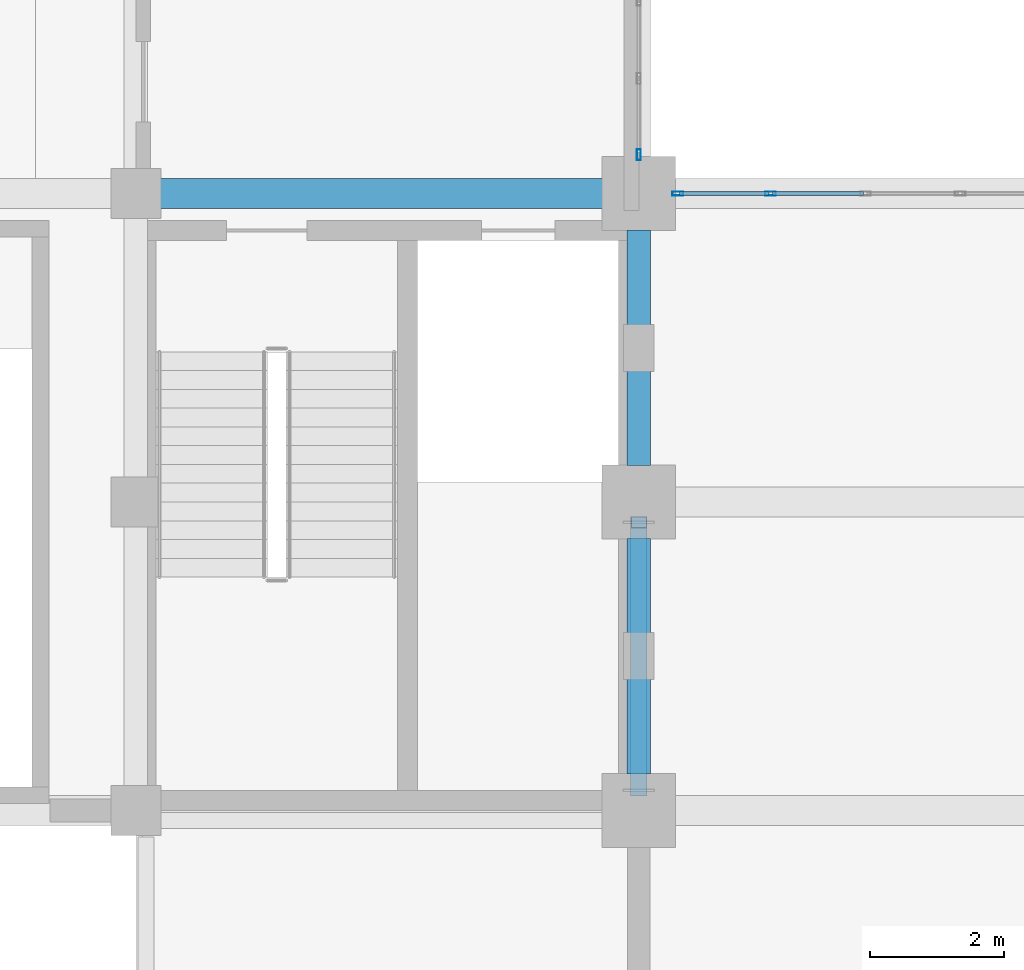
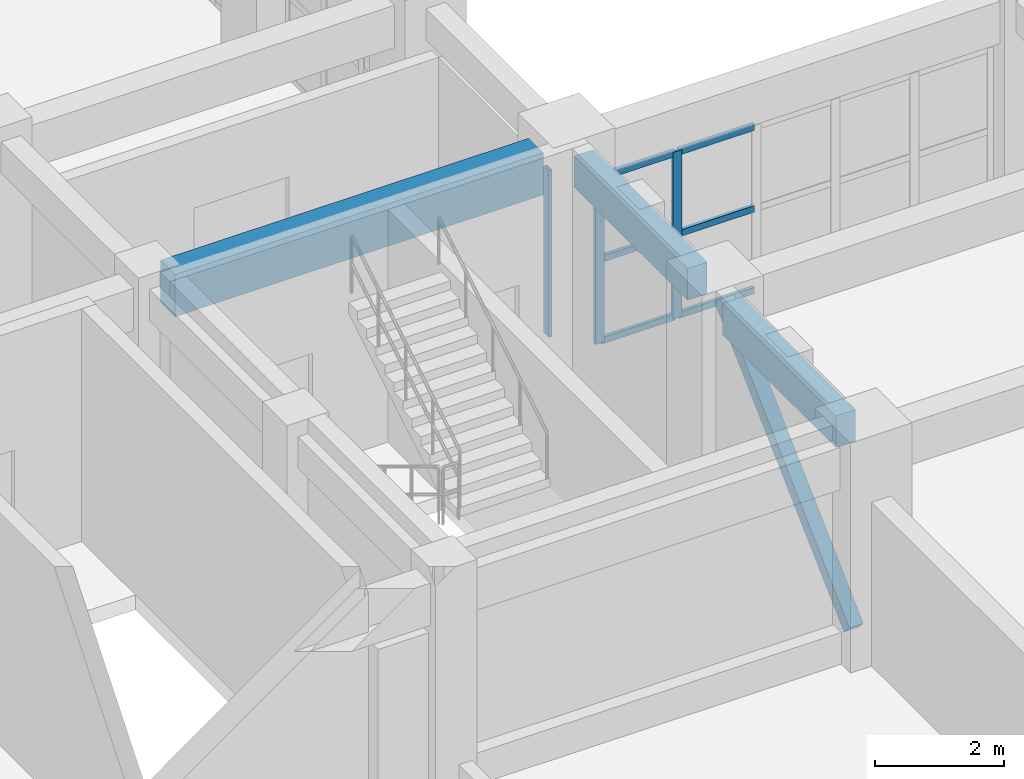
# One storey, part 34 of 90: 10 members, 3 beams, 2 elements without a shape of their own.
"""IFC4 building model written with IfcOpenShell, lengths in metres."""

from ifc_helpers import new_model, si_unit, direction, frame, origin, origin_2d, place, context, subcontext, project, spatial, rectangle, hollow_rectangle, extrude, material, layer, layer_set, material_profile, profile_set, type_object, element, aggregate, save


model = new_model("IFC4")

# Units and contexts
model_context = context("Model", 3, precision=1e-05, world=origin(), true_north=direction((0.0, 1.0)))
body_context = subcontext(model_context, "Body", "Model", "MODEL_VIEW")
ifc_project = project(units=[si_unit("LENGTHUNIT", "METRE"), si_unit("AREAUNIT", "SQUARE_METRE"), si_unit("VOLUMEUNIT", "CUBIC_METRE"), si_unit("PLANEANGLEUNIT", "RADIAN"), si_unit("MASSUNIT", "GRAM", prefix="KILO")], contexts=[model_context])

# Site, building, storey
site_placement = place(None, origin())
site = spatial("IfcSite", under=ifc_project, at=site_placement, CompositionType="ELEMENT")
building_placement = place(site_placement, origin())
building = spatial("IfcBuilding", under=site, at=building_placement, Name="Muzn Square Opera House", CompositionType="ELEMENT")
storey_placement = place(building_placement, frame((0.0, 0.0, 9.800048828125)))
storey = spatial("IfcBuildingStorey", under=building, at=storey_placement, Name="L02", CompositionType="ELEMENT", Elevation=9.800048828125)

# Curtain wall, member
ifc_material_1 = material(Name="Low-E laminated acoustic double glazing", Category="glass")
ifc_layer_1 = layer(ifc_material_1, 0.159912109375, Name="Low-E laminated acoustic double glazing", Category="glass")
ifc_layer_set_1 = layer_set([ifc_layer_1], Name="Low-E laminated acoustic double glazing")
curtain_wall_type_1 = type_object("IfcCurtainWallType", Name="Glazed Curtain Wall EastVaultCourt 3500x3150", PredefinedType="USERDEFINED", material=ifc_layer_set_1)
curtain_wall_1_placement = place(storey_placement, origin())
curtain_wall_1 = element("IfcCurtainWall", 1, at=curtain_wall_1_placement, inside=storey, type_object=curtain_wall_type_1, Name="Glazed Curtain Wall CW-L02-050", ObjectType="GLAZED CURTAIN WALL", PredefinedType="USERDEFINED")
ifc_material_2 = material(Name="Anodised bronze aluminium 6063-T6", Category="metal")
ifc_material_profile_1 = material_profile(ifc_material_2, hollow_rectangle(XDim=0.06005859375, YDim=0.159912109375, WallThickness=0.00390625, at=origin_2d()), Name="ALU 160x60x4", Category="metal")
ifc_profile_set_1 = profile_set([ifc_material_profile_1], Name="Anodised bronze aluminium 6063-T6")
member_type_1 = type_object("IfcMemberType", Name="Curtain Wall Mullion 160x60", PredefinedType="MULLION", material=ifc_profile_set_1)
member_1_placement = place(storey_placement, frame((133.0, 31.780029296875, 0.0), z_axis=(0.0, 0.0, 1.0), x_axis=(-1.0, 0.0, 0.0)))
member_1 = element("IfcMember", 2, at=member_1_placement, type_object=member_type_1, Name="CW-EVC-35x31 mullion 1", PredefinedType="MULLION", context=body_context, shape_type="SweptSolid", body=[
    extrude(hollow_rectangle(XDim=0.06005859375, YDim=0.159912109375, WallThickness=0.00390625, at=origin_2d()), origin(), (0.0, 0.0, 1.0), 3.14990234375),
])
aggregate(curtain_wall_1, [member_1])

# Curtain wall, members
ifc_layer_2 = layer(ifc_material_1, 0.159912109375, Name="Low-E laminated acoustic double glazing", Category="glass")
ifc_layer_set_2 = layer_set([ifc_layer_2], Name="Low-E laminated acoustic double glazing")
curtain_wall_type_2 = type_object("IfcCurtainWallType", Name="Glazed Curtain Wall EastCloisterS 7075x3150", PredefinedType="USERDEFINED", material=ifc_layer_set_2)
curtain_wall_2_placement = place(storey_placement, origin())
curtain_wall_2 = element("IfcCurtainWall", 3, at=curtain_wall_2_placement, inside=storey, type_object=curtain_wall_type_2, Name="Glazed Curtain Wall CW-L02-099", ObjectType="GLAZED CURTAIN WALL", PredefinedType="USERDEFINED")
member_2_placement = place(storey_placement, frame((133.580078125, 31.199951171875, 0.0), z_axis=(0.0, 0.0, 1.0), x_axis=(0.0, 1.0, 0.0)))
member_2 = element("IfcMember", 4, at=member_2_placement, type_object=member_type_1, Name="CW-ECS-70x31 mullion 1", PredefinedType="MULLION", context=body_context, shape_type="SweptSolid", body=[
    extrude(hollow_rectangle(XDim=0.06005859375, YDim=0.159912109375, WallThickness=0.00390625, at=origin_2d()), origin(), (0.0, 0.0, 1.0), 3.14990234375),
])
member_3_placement = place(storey_placement, frame((134.965087890625, 31.199951171875, 0.0), z_axis=(0.0, 0.0, 1.0), x_axis=(0.0, 1.0, 0.0)))
member_3 = element("IfcMember", 5, at=member_3_placement, type_object=member_type_1, Name="CW-ECS-70x31 mullion 2", PredefinedType="MULLION", context=body_context, shape_type="SweptSolid", body=[
    extrude(hollow_rectangle(XDim=0.06005859375, YDim=0.159912109375, WallThickness=0.00390625, at=origin_2d()), origin(), (0.0, 0.0, 1.0), 3.14990234375),
])
ifc_material_profile_2 = material_profile(ifc_material_2, hollow_rectangle(XDim=0.06005859375, YDim=0.1201171875, WallThickness=0.00390625, at=origin_2d()), Name="ALU 120x60x4", Category="metal")
ifc_profile_set_2 = profile_set([ifc_material_profile_2], Name="Anodised bronze aluminium 6063-T6")
member_type_2 = type_object("IfcMemberType", Name="Curtain Wall Transom 120x60", PredefinedType="USERDEFINED", material=ifc_profile_set_2)
member_4_placement = place(storey_placement, frame((133.610107421875, 31.199951171875, 0.030029296875), z_axis=(1.0, 0.0, 0.0), x_axis=(0.0, 1.0, 0.0)))
member_4 = element("IfcMember", 6, at=member_4_placement, type_object=member_type_2, Name="CW-ECS-70x31 transom 1.1", ObjectType="TRANSOM", PredefinedType="USERDEFINED", context=body_context, shape_type="SweptSolid", body=[
    extrude(hollow_rectangle(XDim=0.06005859375, YDim=0.1201171875, WallThickness=0.00390625, at=origin_2d()), origin(), (0.0, 0.0, 1.0), 1.324951171875),
])
member_5_placement = place(storey_placement, frame((133.610107421875, 31.199951171875, 1.574951171875), z_axis=(1.0, 0.0, 0.0), x_axis=(0.0, 1.0, 0.0)))
member_5 = element("IfcMember", 7, at=member_5_placement, type_object=member_type_2, Name="CW-ECS-70x31 transom 1.2", ObjectType="TRANSOM", PredefinedType="USERDEFINED", context=body_context, shape_type="SweptSolid", body=[
    extrude(hollow_rectangle(XDim=0.06005859375, YDim=0.1201171875, WallThickness=0.00390625, at=origin_2d()), origin(), (0.0, 0.0, 1.0), 1.324951171875),
])
member_6_placement = place(storey_placement, frame((133.610107421875, 31.199951171875, 3.119873046875), z_axis=(1.0, 0.0, 0.0), x_axis=(0.0, 1.0, 0.0)))
member_6 = element("IfcMember", 8, at=member_6_placement, type_object=member_type_2, Name="CW-ECS-70x31 transom 1.3", ObjectType="TRANSOM", PredefinedType="USERDEFINED", context=body_context, shape_type="SweptSolid", body=[
    extrude(hollow_rectangle(XDim=0.06005859375, YDim=0.1201171875, WallThickness=0.00390625, at=origin_2d()), origin(), (0.0, 0.0, 1.0), 1.324951171875),
])
member_7_placement = place(storey_placement, frame((134.9951171875, 31.199951171875, 0.030029296875), z_axis=(1.0, 0.0, 0.0), x_axis=(0.0, 1.0, 0.0)))
member_7 = element("IfcMember", 9, at=member_7_placement, type_object=member_type_2, Name="CW-ECS-70x31 transom 2.1", ObjectType="TRANSOM", PredefinedType="USERDEFINED", context=body_context, shape_type="SweptSolid", body=[
    extrude(hollow_rectangle(XDim=0.06005859375, YDim=0.1201171875, WallThickness=0.00390625, at=origin_2d()), origin(), (0.0, 0.0, 1.0), 1.35498046875),
])
member_8_placement = place(storey_placement, frame((134.9951171875, 31.199951171875, 1.574951171875), z_axis=(1.0, 0.0, 0.0), x_axis=(0.0, 1.0, 0.0)))
member_8 = element("IfcMember", 10, at=member_8_placement, type_object=member_type_2, Name="CW-ECS-70x31 transom 2.2", ObjectType="TRANSOM", PredefinedType="USERDEFINED", context=body_context, shape_type="SweptSolid", body=[
    extrude(hollow_rectangle(XDim=0.06005859375, YDim=0.1201171875, WallThickness=0.00390625, at=origin_2d()), origin(), (0.0, 0.0, 1.0), 1.35498046875),
])
member_9_placement = place(storey_placement, frame((134.9951171875, 31.199951171875, 3.119873046875), z_axis=(1.0, 0.0, 0.0), x_axis=(0.0, 1.0, 0.0)))
member_9 = element("IfcMember", 11, at=member_9_placement, type_object=member_type_2, Name="CW-ECS-70x31 transom 2.3", ObjectType="TRANSOM", PredefinedType="USERDEFINED", context=body_context, shape_type="SweptSolid", body=[
    extrude(hollow_rectangle(XDim=0.06005859375, YDim=0.1201171875, WallThickness=0.00390625, at=origin_2d()), origin(), (0.0, 0.0, 1.0), 1.35498046875),
])
aggregate(curtain_wall_2, [member_2, member_3, member_4, member_5, member_6, member_7, member_8, member_9])

# Beams
ifc_material_3 = material(Name="Concrete C40/50", Category="concrete")
ifc_material_profile_3 = material_profile(ifc_material_3, rectangle(XDim=0.35009765625, YDim=0.60009765625, at=origin_2d()), Name="RCB 350x600", Category="concrete")
ifc_profile_set_3 = profile_set([ifc_material_profile_3], Name="Concrete C40/50")
beam_type_1 = type_object("IfcBeamType", Name="Primary Girder 350x600", PredefinedType="BEAM", material=ifc_profile_set_3)
beam_1_placement = place(storey_placement, frame((133.0, 22.5419921875, 3.820068359375), z_axis=(0.0, 1.0, 0.0), x_axis=(-1.0, 0.0, 0.0)))
element("IfcBeam", 12, at=beam_1_placement, inside=storey, type_object=beam_type_1, Name="Primary Girder BM-L02-BM-PG600-1330_225_1330_261-2246", PredefinedType="BEAM", context=body_context, shape_type="SweptSolid", body=[
    extrude(rectangle(XDim=0.35009765625, YDim=0.60009765625, at=origin_2d()), origin(), (0.0, 0.0, 1.0), 3.51611328125),
])
beam_2_placement = place(storey_placement, frame((133.0, 27.14208984375, 3.820068359375), z_axis=(0.0, 1.0, 0.0), x_axis=(-1.0, 0.0, 0.0)))
element("IfcBeam", 13, at=beam_2_placement, inside=storey, type_object=beam_type_1, Name="Primary Girder BM-L02-BM-PG600-1330_271_1330_307-2247", PredefinedType="BEAM", context=body_context, shape_type="SweptSolid", body=[
    extrude(rectangle(XDim=0.35009765625, YDim=0.60009765625, at=origin_2d()), origin(), (0.0, 0.0, 1.0), 3.515869140625),
])
ifc_material_profile_4 = material_profile(ifc_material_3, rectangle(XDim=0.449951171875, YDim=0.800048828125, at=origin_2d()), Name="RCB 450x800", Category="concrete")
ifc_profile_set_4 = profile_set([ifc_material_profile_4], Name="Concrete C40/50")
beam_type_2 = type_object("IfcBeamType", Name="Primary Girder 450x800", PredefinedType="BEAM", material=ifc_profile_set_4)
beam_3_placement = place(storey_placement, frame((125.866943359375, 31.199951171875, 3.719970703125), z_axis=(1.0, 0.0, 0.0), x_axis=(0.0, 1.0, 0.0)))
element("IfcBeam", 14, at=beam_3_placement, inside=storey, type_object=beam_type_2, Name="Primary Girder BM-L02-BM-PG800-1259_312_1325_312-1992", PredefinedType="BEAM", context=body_context, shape_type="SweptSolid", body=[
    extrude(rectangle(XDim=0.449951171875, YDim=0.800048828125, at=origin_2d()), origin(), (0.0, 0.0, 1.0), 6.591064453125),
])

# Member
ifc_material_4 = material(Name="Steel S355", Category="steel")
ifc_material_profile_5 = material_profile(ifc_material_4, hollow_rectangle(XDim=0.25, YDim=0.25, WallThickness=0.012451171875, at=origin_2d()), Name="SHS 250x250x12.5", Category="steel")
ifc_profile_set_5 = profile_set([ifc_material_profile_5], Name="Steel S355")
member_type_3 = type_object("IfcMemberType", Name="Truss Web Brace SHS250", PredefinedType="BRACE", material=ifc_profile_set_5)
member_10_placement = place(storey_placement, frame((133.0, 22.300048828125, 0.199951171875), z_axis=(0.0, 0.724995014376, 0.688754113694), x_axis=(-1.0, 0.0, 0.0)))
element("IfcMember", 15, at=member_10_placement, inside=storey, type_object=member_type_3, Name="Lateral Frame Brace SBRC-09", PredefinedType="BRACE", context=body_context, shape_type="SweptSolid", body=[
    extrude(hollow_rectangle(XDim=0.25, YDim=0.25, WallThickness=0.012451171875, at=origin_2d()), origin(), (0.0, 0.0, 1.0), 5.517333984375),
])

save(model, "model.ifc")
